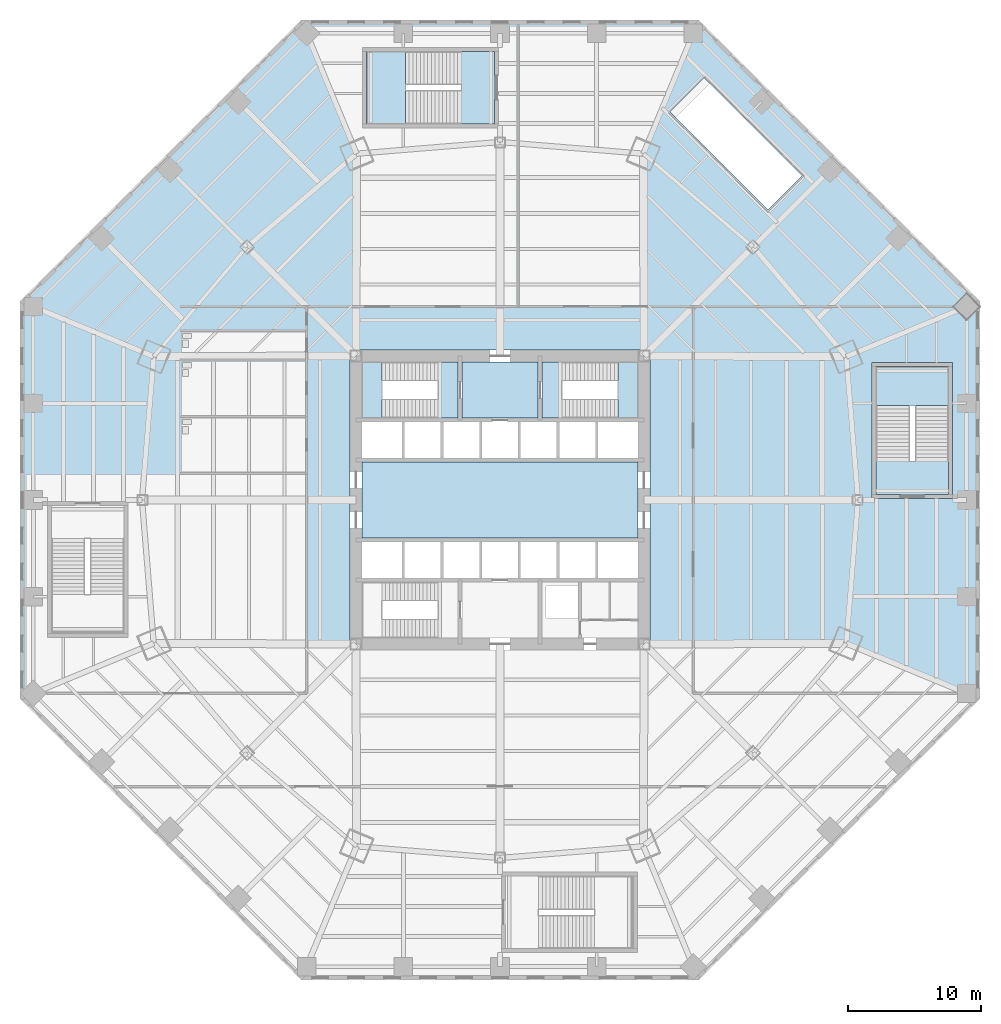
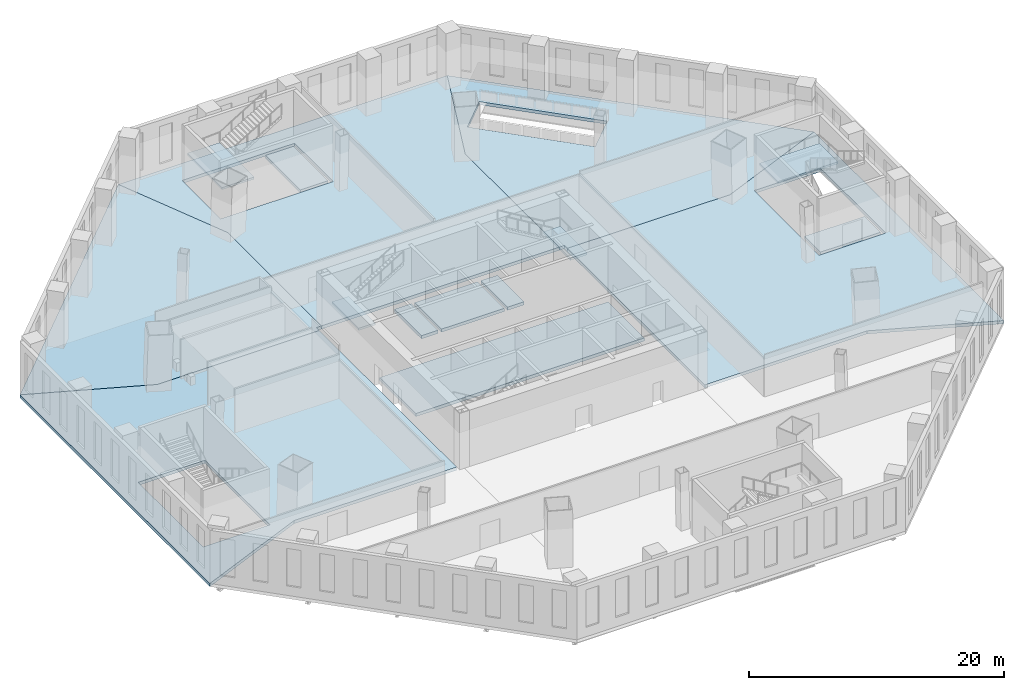
# One storey, part 7 of 18: 15 slabs, 4 elements without a shape of their own.
"""IFC4 building model written with IfcOpenShell, lengths in metres."""

from ifc_helpers import new_model, si_unit, direction, frame, origin, place, context, subcontext, project, spatial, polyline, outline, extrude, material, layer, layer_set, type_object, element, aggregate, save


model = new_model("IFC4")

# Units and contexts
model_context = context("Model", 3, precision=1e-05, world=origin(), true_north=direction((0.0, 1.0)))
body_context = subcontext(model_context, "Body", "Model", "MODEL_VIEW")
ifc_project = project(units=[si_unit("LENGTHUNIT", "METRE"), si_unit("AREAUNIT", "SQUARE_METRE"), si_unit("VOLUMEUNIT", "CUBIC_METRE"), si_unit("PLANEANGLEUNIT", "RADIAN"), si_unit("MASSUNIT", "GRAM", prefix="KILO")], contexts=[model_context])

# Site, building, storey
site_placement = place(None, origin())
site = spatial("IfcSite", under=ifc_project, at=site_placement, CompositionType="ELEMENT")
building_placement = place(site_placement, origin())
building = spatial("IfcBuilding", under=site, at=building_placement, Name="Mashrafa Tower", CompositionType="ELEMENT")
storey_placement = place(building_placement, frame((0.0, 0.0, 13.199951171875)))
storey = spatial("IfcBuildingStorey", under=building, at=storey_placement, Name="L02", CompositionType="ELEMENT", Elevation=13.199951171875)

# Slabs
ifc_material_1 = material(Name="Concrete C35/45", Category="concrete")
ifc_layer_1 = layer(ifc_material_1, 0.300048828125)
ifc_layer_set_1 = layer_set([ifc_layer_1], Name="Floor slab 300")
slab_type_1 = type_object("IfcSlabType", Name="Floor slab 300", PredefinedType="FLOOR", material=ifc_layer_set_1)
slab_1_placement = place(storey_placement, frame((0.0, 0.0, -0.300048828125)))
element("IfcSlab", 1, at=slab_1_placement, inside=storey, type_object=slab_type_1, Name="Floor slab L02 east bay", PredefinedType="FLOOR", context=body_context, shape_type="SweptSolid", body=[
    extrude(outline(polyline([(36.0, 14.91162109375), (36.0, -14.91162109375), (36.0, -14.91162109375), (25.9716796875, -10.7578125), (11.25, -10.798828125), (11.25, 10.798828125), (25.9716796875, 10.7578125), (36.0, 14.91162109375), (36.0, 14.91162109375)]), holes=[polyline([(27.89990234375, 0.10009765625), (33.949951171875, 0.10009765625), (33.949951171875, 10.300048828125), (27.89990234375, 10.300048828125), (27.89990234375, 0.10009765625)])]), origin(), (0.0, 0.0, 1.0), 0.300048828125),
])
slab_2_placement = place(storey_placement, frame((0.0, 0.0, -0.300048828125)))
element("IfcSlab", 2, at=slab_2_placement, inside=storey, type_object=slab_type_1, Name="Floor slab L02 north-east bay", PredefinedType="FLOOR", context=body_context, shape_type="SweptSolid", body=[
    extrude(outline(polyline([(36.0, 14.91162109375), (25.9716796875, 10.7578125), (11.25, 10.798828125), (11.25, 11.25), (10.798828125, 11.25), (10.7578125, 25.9716796875), (14.91162109375, 36.0), (36.0, 14.91162109375)]), holes=[polyline([(12.754638671875, 29.106201171875), (20.10302734375, 21.757568359375), (22.648681640625, 24.30322265625), (15.300048828125, 31.651611328125), (12.754638671875, 29.106201171875)])]), origin(), (0.0, 0.0, 1.0), 0.300048828125),
])
slab_3_placement = place(storey_placement, frame((0.0, 0.0, -0.300048828125)))
element("IfcSlab", 3, at=slab_3_placement, inside=storey, type_object=slab_type_1, Name="Floor slab L02 north bay", PredefinedType="FLOOR", context=body_context, shape_type="SweptSolid", body=[
    extrude(outline(polyline([(-14.91162109375, 36.0), (14.91162109375, 36.0), (14.91162109375, 36.0), (10.7578125, 25.9716796875), (10.798828125, 11.25), (-10.798828125, 11.25), (-10.7578125, 25.9716796875), (-14.91162109375, 36.0), (-14.91162109375, 36.0)]), holes=[polyline([(-0.10009765625, 27.89990234375), (-0.10009765625, 33.949951171875), (-10.300048828125, 33.949951171875), (-10.300048828125, 27.89990234375), (-0.10009765625, 27.89990234375)])]), origin(), (0.0, 0.0, 1.0), 0.300048828125),
])
slab_4_placement = place(storey_placement, frame((0.0, 0.0, -0.300048828125)))
element("IfcSlab", 4, at=slab_4_placement, inside=storey, type_object=slab_type_1, Name="Floor slab L02 north-west bay", PredefinedType="FLOOR", context=body_context, shape_type="SweptSolid", body=[
    extrude(outline(polyline([(-14.91162109375, 36.0), (-10.7578125, 25.9716796875), (-10.798828125, 11.25), (-11.25, 11.25), (-11.25, 10.798828125), (-25.9716796875, 10.7578125), (-36.0, 14.91162109375), (-14.91162109375, 36.0)])), origin(), (0.0, 0.0, 1.0), 0.300048828125),
])
slab_5_placement = place(storey_placement, frame((0.0, 0.0, -0.300048828125)))
element("IfcSlab", 5, at=slab_5_placement, inside=storey, type_object=slab_type_1, Name="Floor slab L02 west bay", PredefinedType="FLOOR", context=body_context, shape_type="SweptSolid", body=[
    extrude(outline(polyline([(-36.0, -14.91162109375), (-36.0, 14.91162109375), (-36.0, 14.91162109375), (-25.9716796875, 10.7578125), (-11.25, 10.798828125), (-11.25, -10.798828125), (-25.9716796875, -10.7578125), (-36.0, -14.91162109375), (-36.0, -14.91162109375)]), holes=[polyline([(-27.89990234375, -10.300048828125), (-27.89990234375, -0.10009765625), (-33.949951171875, -0.10009765625), (-33.949951171875, -10.300048828125), (-27.89990234375, -10.300048828125)])]), origin(), (0.0, 0.0, 1.0), 0.300048828125),
])
slab_6_placement = place(storey_placement, frame((0.0, 0.0, -0.300048828125)))
element("IfcSlab", 6, at=slab_6_placement, inside=storey, type_object=slab_type_1, Name="Core floor lift hall L02", PredefinedType="FLOOR", context=body_context, shape_type="SweptSolid", body=[
    extrude(outline(polyline([(-10.35009765625, 2.85009765625), (10.35009765625, 2.85009765625), (10.35009765625, -2.85009765625), (-10.35009765625, -2.85009765625), (-10.35009765625, 2.85009765625)])), origin(), (0.0, 0.0, 1.0), 0.300048828125),
])
slab_7_placement = place(storey_placement, frame((0.0, 0.0, -0.300048828125)))
element("IfcSlab", 7, at=slab_7_placement, inside=storey, type_object=slab_type_1, Name="Core floor fire-fighting lobby north L02", PredefinedType="FLOOR", context=body_context, shape_type="SweptSolid", body=[
    extrude(outline(polyline([(-2.85009765625, 10.35009765625), (2.85009765625, 10.35009765625), (2.85009765625, 6.14990234375), (-2.85009765625, 6.14990234375), (-2.85009765625, 10.35009765625)])), origin(), (0.0, 0.0, 1.0), 0.300048828125),
])

# Stair, slab
ifc_material_2 = material(Name="Exit stair 1400")
stair_type_1 = type_object("IfcStairType", Name="Exit stair 1400", PredefinedType="HALF_TURN_STAIR", material=ifc_material_2)
stair_1_placement = place(storey_placement, origin())
stair_1 = element("IfcStair", 8, at=stair_1_placement, inside=storey, type_object=stair_type_1, Name="Stair S1 L02", PredefinedType="HALF_TURN_STAIR")
ifc_material_3 = material(Name="Concrete C32/40", Category="concrete")
ifc_layer_2 = layer(ifc_material_3, 0.199951171875)
ifc_layer_set_2 = layer_set([ifc_layer_2], Name="Stair landing 200")
slab_type_2 = type_object("IfcSlabType", Name="Stair landing 200", PredefinedType="LANDING", material=ifc_layer_set_2)
slab_8_placement = place(storey_placement, frame((0.0, 0.0, 2.5)))
slab_8 = element("IfcSlab", 9, at=slab_8_placement, type_object=slab_type_2, Name="S1 landing 2", PredefinedType="LANDING", context=body_context, shape_type="SweptSolid", body=[
    extrude(outline(polyline([(-10.35009765625, 6.14990234375), (-8.840087890625, 6.14990234375), (-8.840087890625, 10.35009765625), (-10.35009765625, 10.35009765625), (-10.35009765625, 6.14990234375)])), origin(), (0.0, 0.0, 1.0), 0.199951171875),
])

stair_2_placement = place(storey_placement, origin())
stair_2 = element("IfcStair", 10, at=stair_2_placement, inside=storey, type_object=stair_type_1, Name="Stair S2 L02", PredefinedType="HALF_TURN_STAIR")
slab_9_placement = place(storey_placement, frame((0.0, 0.0, 2.5)))
slab_9 = element("IfcSlab", 11, at=slab_9_placement, type_object=slab_type_2, Name="S2 landing 2", PredefinedType="LANDING", context=body_context, shape_type="SweptSolid", body=[
    extrude(outline(polyline([(8.840087890625, 6.14990234375), (10.35009765625, 6.14990234375), (10.35009765625, 10.35009765625), (8.840087890625, 10.35009765625), (8.840087890625, 6.14990234375)])), origin(), (0.0, 0.0, 1.0), 0.199951171875),
])

ifc_material_4 = material(Name="Exit stair 2500")
stair_type_2 = type_object("IfcStairType", Name="Exit stair 2500", PredefinedType="HALF_TURN_STAIR", material=ifc_material_4)
stair_3_placement = place(storey_placement, origin())
stair_3 = element("IfcStair", 12, at=stair_3_placement, inside=storey, type_object=stair_type_2, Name="Stair P1 L02", PredefinedType="HALF_TURN_STAIR")
slab_10_placement = place(storey_placement, frame((0.0, 0.0, 2.5)))
slab_10 = element("IfcSlab", 13, at=slab_10_placement, type_object=slab_type_2, Name="P1 landing 2", PredefinedType="LANDING", context=body_context, shape_type="SweptSolid", body=[
    extrude(outline(polyline([(33.64990234375, 7.090087890625), (33.64990234375, 10.0), (28.199951171875, 10.0), (28.199951171875, 7.090087890625), (33.64990234375, 7.090087890625)])), origin(), (0.0, 0.0, 1.0), 0.199951171875),
])

stair_4_placement = place(storey_placement, origin())
stair_4 = element("IfcStair", 14, at=stair_4_placement, inside=storey, type_object=stair_type_2, Name="Stair P2 L02", PredefinedType="HALF_TURN_STAIR")
slab_11_placement = place(storey_placement, frame((0.0, 0.0, 2.5)))
slab_11 = element("IfcSlab", 15, at=slab_11_placement, type_object=slab_type_2, Name="P2 landing 2", PredefinedType="LANDING", context=body_context, shape_type="SweptSolid", body=[
    extrude(outline(polyline([(-10.0, 28.199951171875), (-7.090087890625, 28.199951171875), (-7.090087890625, 33.64990234375), (-10.0, 33.64990234375), (-10.0, 28.199951171875)])), origin(), (0.0, 0.0, 1.0), 0.199951171875),
])

# Slab
ifc_material_5 = material(Name="Concrete C32/40", Category="concrete")
ifc_layer_3 = layer(ifc_material_5, 0.300048828125)
ifc_layer_set_3 = layer_set([ifc_layer_3], Name="Stair landing 300")
slab_type_3 = type_object("IfcSlabType", Name="Stair landing 300", PredefinedType="LANDING", material=ifc_layer_set_3)
slab_12_placement = place(storey_placement, frame((0.0, 0.0, -0.300048828125)))
slab_12 = element("IfcSlab", 16, at=slab_12_placement, type_object=slab_type_3, Name="S1 landing 1", PredefinedType="LANDING", context=body_context, shape_type="SweptSolid", body=[
    extrude(outline(polyline([(-4.659912109375, 6.14990234375), (-3.14990234375, 6.14990234375), (-3.14990234375, 10.35009765625), (-4.659912109375, 10.35009765625), (-4.659912109375, 6.14990234375)])), origin(), (0.0, 0.0, 1.0), 0.300048828125),
])

aggregate(stair_1, [slab_12, slab_8])

slab_13_placement = place(storey_placement, frame((0.0, 0.0, -0.300048828125)))
slab_13 = element("IfcSlab", 17, at=slab_13_placement, type_object=slab_type_3, Name="S2 landing 1", PredefinedType="LANDING", context=body_context, shape_type="SweptSolid", body=[
    extrude(outline(polyline([(3.14990234375, 6.14990234375), (4.659912109375, 6.14990234375), (4.659912109375, 10.35009765625), (3.14990234375, 10.35009765625), (3.14990234375, 6.14990234375)])), origin(), (0.0, 0.0, 1.0), 0.300048828125),
])

aggregate(stair_2, [slab_13, slab_9])

slab_14_placement = place(storey_placement, frame((0.0, 0.0, -0.300048828125)))
slab_14 = element("IfcSlab", 18, at=slab_14_placement, type_object=slab_type_3, Name="P1 landing 1", PredefinedType="LANDING", context=body_context, shape_type="SweptSolid", body=[
    extrude(outline(polyline([(33.64990234375, 0.39990234375), (33.64990234375, 2.909912109375), (28.199951171875, 2.909912109375), (28.199951171875, 0.39990234375), (33.64990234375, 0.39990234375)])), origin(), (0.0, 0.0, 1.0), 0.300048828125),
])

aggregate(stair_3, [slab_14, slab_10])

slab_15_placement = place(storey_placement, frame((0.0, 0.0, -0.300048828125)))
slab_15 = element("IfcSlab", 19, at=slab_15_placement, type_object=slab_type_3, Name="P2 landing 1", PredefinedType="LANDING", context=body_context, shape_type="SweptSolid", body=[
    extrude(outline(polyline([(-2.909912109375, 28.199951171875), (-0.39990234375, 28.199951171875), (-0.39990234375, 33.64990234375), (-2.909912109375, 33.64990234375), (-2.909912109375, 28.199951171875)])), origin(), (0.0, 0.0, 1.0), 0.300048828125),
])

aggregate(stair_4, [slab_15, slab_11])

save(model, "model.ifc")
